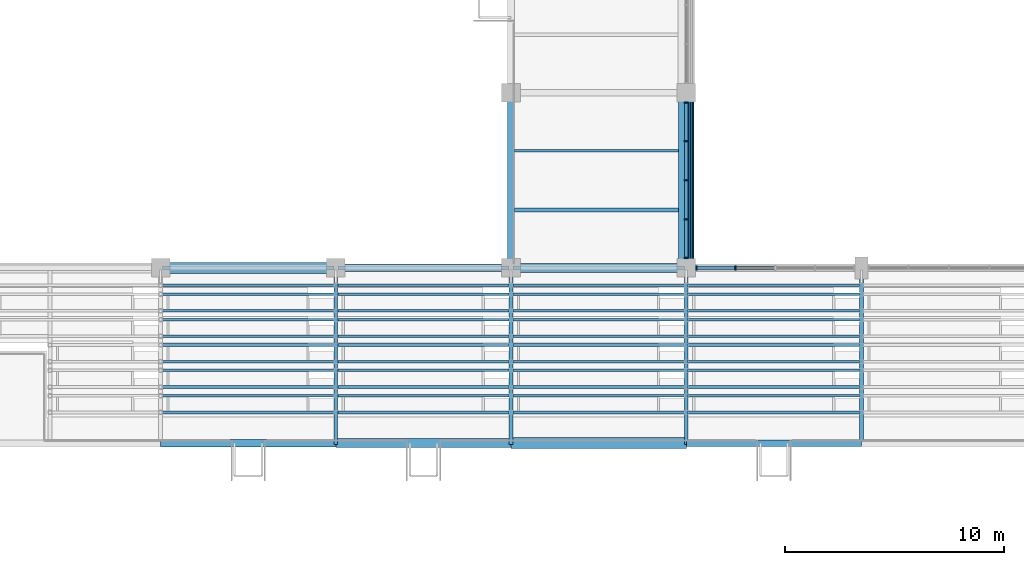
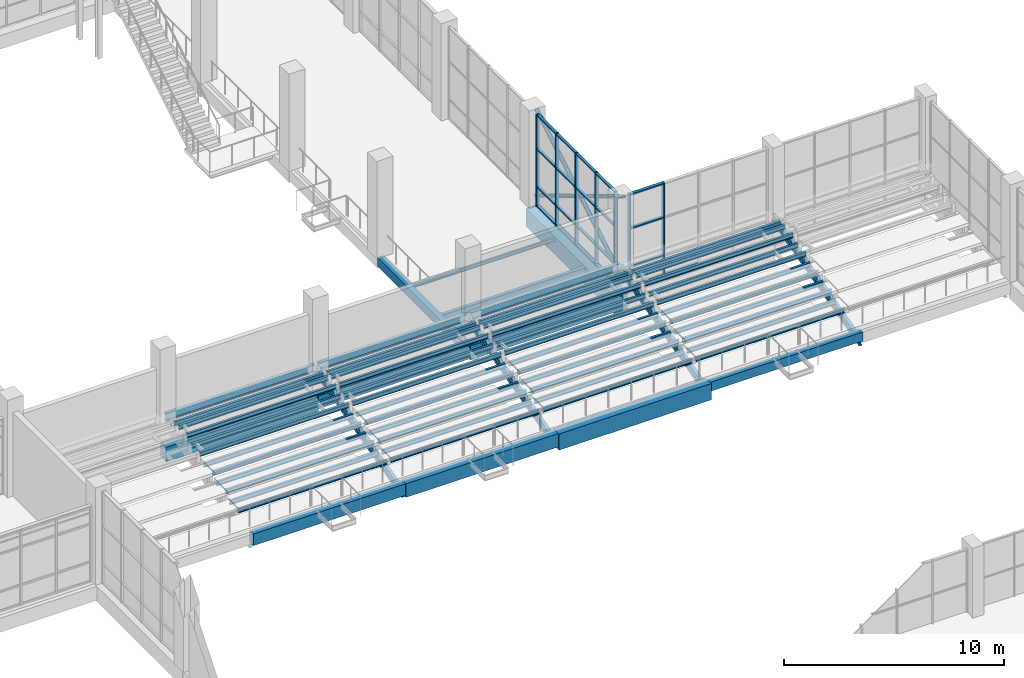
# One storey, part 54 of 122: 62 beams, 30 members, 2 elements without a shape of their own.
"""IFC4 building model written with IfcOpenShell, lengths in metres."""

import ifcopenshell
import ifcopenshell.guid

model = None  # the IFC model being written
_history = None  # IfcOwnerHistory: only IFC2X3 demands one
_inside = {}  # id of a spatial element -> (the spatial element, [elements in it])
_under = {}  # id of a project, library or spatial element -> (it, [spatial elements below it])
_declared = {}  # id of a project -> (the project, [libraries it declares])
_typed = {}  # id of a type object -> (the type object, [elements of that type])
_made_of = {}  # id of a material, layer set ... -> (it, [elements and type objects made of it])


def new_model(schema):
    """Start an empty IFC model of exactly this schema.

    Asked for "IFC4X3", IfcOpenShell would pick the latest addendum, in which some entities
    have other attributes; the version numbers below select the first issue.
    IFC2X3 requires an IfcOwnerHistory on every rooted entity: one is made here for all.
    """
    global model, _history
    if schema == "IFC4X3":
        model = ifcopenshell.file(schema_version=(4, 3, 0, 0))
    else:
        model = ifcopenshell.file(schema=schema)
    _inside.clear()
    _under.clear()
    _declared.clear()
    _typed.clear()
    _made_of.clear()
    _history = None
    if model.schema == "IFC2X3":
        org = make("IfcOrganization", Name="unknown")
        user = make(
            "IfcPersonAndOrganization",
            ThePerson=make("IfcPerson", FamilyName="unknown"),
            TheOrganization=org,
        )
        app = make(
            "IfcApplication",
            ApplicationDeveloper=org,
            Version="unknown",
            ApplicationFullName="unknown",
            ApplicationIdentifier="unknown",
        )
        _history = make(
            "IfcOwnerHistory",
            OwningUser=user,
            OwningApplication=app,
            ChangeAction="ADDED",
            CreationDate=0,
        )
    return model


def make(cls, **values):
    """One entity of the class cls with the attributes given. An attribute that is None is left unset."""
    return model.create_entity(
        cls, **{name: value for name, value in values.items() if value is not None}
    )


def rooted(cls, **values):
    """An entity with a GlobalId (a new one), such as an element, a storey or a relation."""
    return make(cls, GlobalId=ifcopenshell.guid.new(), OwnerHistory=_history, **values)


def si_unit(unit_type, name, prefix=None):
    """IfcSIUnit, for example si_unit("LENGTHUNIT", "METRE", prefix="MILLI")."""
    return make("IfcSIUnit", UnitType=unit_type, Prefix=prefix, Name=name)


def assignment(units):
    """IfcUnitAssignment: the units of a project."""
    return None if units is None else make("IfcUnitAssignment", Units=units)


def point(xyz):
    """IfcCartesianPoint."""
    return None if xyz is None else make("IfcCartesianPoint", Coordinates=xyz)


def direction(xyz):
    """IfcDirection."""
    return None if xyz is None else make("IfcDirection", DirectionRatios=xyz)


def frame(location, z_axis=None, x_axis=None):
    """IfcAxis2Placement3D, a coordinate frame: its origin and axes. An axis left out is left unset."""
    return make(
        "IfcAxis2Placement3D",
        Location=point(location),
        Axis=direction(z_axis),
        RefDirection=direction(x_axis),
    )


def frame_2d(location, x_axis=None):
    """IfcAxis2Placement2D, a coordinate frame in the plane: its origin and x axis."""
    return make(
        "IfcAxis2Placement2D", Location=point(location), RefDirection=direction(x_axis)
    )


def origin():
    """The frame at (0, 0, 0) with its axes left unset."""
    return frame((0.0, 0.0, 0.0))


def origin_2d():
    """The frame at (0, 0) in the plane with its x axis left unset."""
    return frame_2d((0.0, 0.0))


def place(relative_to, where):
    """IfcLocalPlacement: puts the frame where relative to a parent placement (None: the world)."""
    return make(
        "IfcLocalPlacement", PlacementRelTo=relative_to, RelativePlacement=where
    )


def context(
    kind, dimensions, precision=None, world=None, true_north=None, identifier=None
):
    """IfcGeometricRepresentationContext, for example the 3D "Model" context."""
    return make(
        "IfcGeometricRepresentationContext",
        ContextIdentifier=identifier,
        ContextType=kind,
        CoordinateSpaceDimension=dimensions,
        Precision=precision,
        WorldCoordinateSystem=world,
        TrueNorth=true_north,
    )


def subcontext(parent, identifier, kind, view, scale=None):
    """IfcGeometricRepresentationSubContext, for example "Body" below "Model"."""
    return make(
        "IfcGeometricRepresentationSubContext",
        ContextIdentifier=identifier,
        ContextType=kind,
        ParentContext=parent,
        TargetScale=scale,
        TargetView=view,
    )


def project(units=None, contexts=None):
    """IfcProject with its units and contexts."""
    return rooted(
        "IfcProject",
        Name="project",
        RepresentationContexts=contexts,
        UnitsInContext=assignment(units),
    )


def spatial(cls, under=None, at=None, **own):
    """A site, building, storey or space (cls), placed at a placement, below another one or the project."""
    s = rooted(cls, ObjectPlacement=at, **own)
    if under is not None:
        _under.setdefault(under.id(), (under, []))[1].append(s)
    return s


def profile(cls, at=None, kind="AREA", **sizes):
    """A parametric profile (cls). Its sizes go by their IFC names, for example OverallWidth=200.0."""
    return make(cls, ProfileType=kind, Position=at, **sizes)


def rectangle(**sizes):
    """IfcRectangleProfileDef."""
    return profile("IfcRectangleProfileDef", **sizes)


def hollow_circle(**sizes):
    """IfcCircleHollowProfileDef."""
    return profile("IfcCircleHollowProfileDef", **sizes)


def i_section(**sizes):
    """IfcIShapeProfileDef."""
    return profile("IfcIShapeProfileDef", **sizes)


def extrude(swept, where, along, depth):
    """IfcExtrudedAreaSolid: the profile swept, set in the frame where, extruded along a direction by depth."""
    return make(
        "IfcExtrudedAreaSolid",
        SweptArea=swept,
        Position=where,
        ExtrudedDirection=direction(along),
        Depth=depth,
    )


def shape(context_of_items, identifier, shape_type, items):
    """IfcShapeRepresentation: the items that make up one representation, for example the "Body"."""
    return make(
        "IfcShapeRepresentation",
        ContextOfItems=context_of_items,
        RepresentationIdentifier=identifier,
        RepresentationType=shape_type,
        Items=items,
    )


def material(Name=None, Category=None):
    """IfcMaterial."""
    return make("IfcMaterial", Name=Name, Category=Category)


def material_profile(
    of_material, cross_section, Name=None, Category=None, Priority=None
):
    """IfcMaterialProfile: a cross section and its material."""
    return make(
        "IfcMaterialProfile",
        Name=Name,
        Material=of_material,
        Profile=cross_section,
        Priority=Priority,
        Category=Category,
    )


def profile_set(profiles, Name=None, composite=None):
    """IfcMaterialProfileSet."""
    return make(
        "IfcMaterialProfileSet",
        Name=Name,
        MaterialProfiles=profiles,
        CompositeProfile=composite,
    )


def made_of(thing, what):
    """Note that an element or type object is made of a material, layer set ...; save() writes the relation."""
    if what is not None:
        _made_of.setdefault(what.id(), (what, []))[1].append(thing)
    return thing


def type_object(cls, material=None, **own):
    """A type object (cls), such as IfcWallType, which elements share."""
    return made_of(rooted(cls, **own), material)


def element(
    cls,
    number,
    at=None,
    inside=None,
    cuts=None,
    type_object=None,
    material=None,
    context=None,
    identifier="Body",
    shape_type=None,
    held_by="IfcProductDefinitionShape",
    body=None,
    shapes=None,
    **own,
):
    """One element of the class cls, such as IfcWall. Its Tag is "e" and its number.

    at: its placement. inside: the storey or other place that contains it. cuts: it is an
    opening in that element (IfcRelVoidsElement). A single representation is given by context,
    identifier, shape_type and body (its items); several are given by shapes. held_by: the class
    of the entity that holds the representations. save() writes the other relations.
    """
    e = rooted(cls, Tag="e%d" % number, ObjectPlacement=at, **own)
    if body is not None:
        shapes = [shape(context, identifier, shape_type, body)]
    if shapes is not None:
        e.Representation = make(held_by, Representations=shapes)
    if inside is not None:
        _inside.setdefault(inside.id(), (inside, []))[1].append(e)
    if cuts is not None:
        rooted(
            "IfcRelVoidsElement", RelatingBuildingElement=cuts, RelatedOpeningElement=e
        )
    if type_object is not None:
        _typed.setdefault(type_object.id(), (type_object, []))[1].append(e)
    return made_of(e, material)


def aggregate(whole, parts):
    """IfcRelAggregates: a whole, such as a stair, and the parts it consists of."""
    return rooted("IfcRelAggregates", RelatingObject=whole, RelatedObjects=parts)


def save(model, path):
    """Write the relations noted so far, then the file.

    IfcRelAggregates (storeys below a building ...), IfcRelContainedInSpatialStructure (elements
    in a storey), IfcRelDefinesByType, IfcRelAssociatesMaterial and IfcRelDeclares: one each for
    every whole, place, type object, material and project.
    """
    for whole, parts in _under.values():
        aggregate(whole, parts)
    for where, things in _inside.values():
        rooted(
            "IfcRelContainedInSpatialStructure",
            RelatedElements=things,
            RelatingStructure=where,
        )
    for kind, things in _typed.values():
        rooted("IfcRelDefinesByType", RelatedObjects=things, RelatingType=kind)
    for what, things in _made_of.values():
        rooted("IfcRelAssociatesMaterial", RelatedObjects=things, RelatingMaterial=what)
    for by, libraries in _declared.values():
        rooted("IfcRelDeclares", RelatingContext=by, RelatedDefinitions=libraries)
    model.write(path)


model = new_model("IFC4")

# Units and contexts
model_context = context("Model", 3, precision=1e-05, world=origin(), true_north=direction((0.0, 1.0)))
body_context = subcontext(model_context, "Body", "Model", "MODEL_VIEW")
ifc_project = project(units=[si_unit("LENGTHUNIT", "METRE"), si_unit("AREAUNIT", "SQUARE_METRE"), si_unit("VOLUMEUNIT", "CUBIC_METRE"), si_unit("PLANEANGLEUNIT", "RADIAN"), si_unit("MASSUNIT", "GRAM", prefix="KILO")], contexts=[model_context])

# Site, building, storey
site_placement = place(None, origin())
site = spatial("IfcSite", under=ifc_project, at=site_placement, CompositionType="ELEMENT")
building_placement = place(site_placement, origin())
building = spatial("IfcBuilding", under=site, at=building_placement, Name="Tenunan Teduh Sports Hall", CompositionType="ELEMENT")
storey_placement = place(building_placement, frame((0.0, 0.0, 5.39990234375)))
storey = spatial("IfcBuildingStorey", under=building, at=storey_placement, Name="L01", CompositionType="ELEMENT", Elevation=5.39990234375)

# Beams
ifc_material_1 = material(Name="Concrete C40/50", Category="concrete")
ifc_material_profile_1 = material_profile(ifc_material_1, rectangle(XDim=0.300048828125, YDim=0.5, at=origin_2d()), Name="RCB 300x500")
ifc_profile_set_1 = profile_set([ifc_material_profile_1], Name="Concrete C40/50")
beam_type_1 = type_object("IfcBeamType", Name="BM-RC-300x500", PredefinedType="BEAM", material=ifc_profile_set_1)
for number, where, z_axis, x_axis, name in (
    (1, (154.0, 38.0, -0.510009765625), (1.0, 0.0, 0.0), (0.0, 1.0, 0.0), "BM-B-01-L01-1068"),
    (2, (146.0, 46.0, -0.510009765625), (0.0, 1.0, 0.0), (-1.0, 0.0, 0.0), "BM-B-01-L01-1285"),
):
    element("IfcBeam", number, at=place(storey_placement, frame(where, z_axis=z_axis, x_axis=x_axis)), inside=storey, type_object=beam_type_1, Name=name, PredefinedType="BEAM", context=body_context, shape_type="SweptSolid", body=[
        extrude(rectangle(XDim=0.300048828125, YDim=0.5, at=origin_2d()), origin(), (0.0, 0.0, 1.0), 8.0),
    ])
ifc_material_2 = material(Name="Concrete C40/50", Category="concrete")
ifc_material_profile_2 = material_profile(ifc_material_2, rectangle(XDim=0.35009765625, YDim=0.64990234375, at=origin_2d()), Name="RCB 350x650")
ifc_profile_set_2 = profile_set([ifc_material_profile_2], Name="Concrete C40/50")
beam_type_2 = type_object("IfcBeamType", Name="BM-RC-350x650", PredefinedType="BEAM", material=ifc_profile_set_2)
beam_1_placement = place(storey_placement, frame((130.0, 38.0, -0.5849609375), z_axis=(1.0, 0.0, 0.0), x_axis=(0.0, 1.0, 0.0)))
element("IfcBeam", 3, at=beam_1_placement, inside=storey, type_object=beam_type_2, Name="BM-B-05-L01-1065", PredefinedType="BEAM", context=body_context, shape_type="SweptSolid", body=[
    extrude(rectangle(XDim=0.35009765625, YDim=0.64990234375, at=origin_2d()), origin(), (0.0, 0.0, 1.0), 8.0),
])
ifc_material_3 = material(Name="Concrete C40/50", Category="concrete")
ifc_material_profile_3 = material_profile(ifc_material_3, rectangle(XDim=0.39990234375, YDim=0.75, at=origin_2d()), Name="RCB 400x750")
ifc_profile_set_3 = profile_set([ifc_material_profile_3], Name="Concrete C40/50")
beam_type_3 = type_object("IfcBeamType", Name="BM-RC-400x750", PredefinedType="BEAM", material=ifc_profile_set_3)
beam_2_placement = place(storey_placement, frame((138.0, 38.0, -0.635009765625), z_axis=(1.0, 0.0, 0.0), x_axis=(0.0, 1.0, 0.0)))
element("IfcBeam", 4, at=beam_2_placement, inside=storey, type_object=beam_type_3, Name="BM-B-09-L01-1066", PredefinedType="BEAM", context=body_context, shape_type="SweptSolid", body=[
    extrude(rectangle(XDim=0.39990234375, YDim=0.75, at=origin_2d()), origin(), (0.0, 0.0, 1.0), 8.0),
])
ifc_material_4 = material(Name="Concrete C40/50", Category="concrete")
ifc_material_profile_4 = material_profile(ifc_material_4, rectangle(XDim=0.5, YDim=0.800048828125, at=origin_2d()), Name="RCB 500x800")
ifc_profile_set_4 = profile_set([ifc_material_profile_4], Name="Concrete C40/50")
beam_type_4 = type_object("IfcBeamType", Name="BM-RC-500x800", PredefinedType="BEAM", material=ifc_profile_set_4)
beam_3_placement = place(storey_placement, frame((130.0, 46.0, -0.659912109375), z_axis=(1.0, 0.0, 0.0), x_axis=(0.0, 1.0, 0.0)))
element("IfcBeam", 5, at=beam_3_placement, inside=storey, type_object=beam_type_4, Name="BM-B-14-L01-1083", PredefinedType="BEAM", context=body_context, shape_type="SweptSolid", body=[
    extrude(rectangle(XDim=0.5, YDim=0.800048828125, at=origin_2d()), origin(), (0.0, 0.0, 1.0), 8.0),
])
ifc_material_5 = material(Name="Concrete C40/50", Category="concrete")
ifc_material_profile_5 = material_profile(ifc_material_5, rectangle(XDim=0.5, YDim=0.89990234375, at=origin_2d()), Name="RCB 500x900")
ifc_profile_set_5 = profile_set([ifc_material_profile_5], Name="Concrete C40/50")
beam_type_5 = type_object("IfcBeamType", Name="BM-RC-500x900", PredefinedType="BEAM", material=ifc_profile_set_5)
beam_4_placement = place(storey_placement, frame((146.0, 38.0, -0.7099609375), z_axis=(1.0, 0.0, 0.0), x_axis=(0.0, 1.0, 0.0)))
element("IfcBeam", 6, at=beam_4_placement, inside=storey, type_object=beam_type_5, Name="BM-B-15-L01-1067", PredefinedType="BEAM", context=body_context, shape_type="SweptSolid", body=[
    extrude(rectangle(XDim=0.5, YDim=0.89990234375, at=origin_2d()), origin(), (0.0, 0.0, 1.0), 8.0),
])
ifc_material_6 = material(Name="Concrete C40/50", Category="concrete")
ifc_material_profile_6 = material_profile(ifc_material_6, rectangle(XDim=0.699951171875, YDim=1.0, at=origin_2d()), Name="RCB 700x1000")
ifc_profile_set_6 = profile_set([ifc_material_profile_6], Name="Concrete C40/50")
beam_type_6 = type_object("IfcBeamType", Name="BM-RC-700x1000", PredefinedType="SPANDREL", material=ifc_profile_set_6)
beam_5_placement = place(storey_placement, frame((154.0, 46.0, -0.760009765625), z_axis=(0.0, 1.0, 0.0), x_axis=(-1.0, 0.0, 0.0)))
element("IfcBeam", 7, at=beam_5_placement, inside=storey, type_object=beam_type_6, Name="BM-B-19-L01-1293", PredefinedType="SPANDREL", context=body_context, shape_type="SweptSolid", body=[
    extrude(rectangle(XDim=0.699951171875, YDim=1.0, at=origin_2d()), origin(), (0.0, 0.0, 1.0), 8.0),
])
ifc_material_7 = material(Name="Concrete C40/50", Category="concrete")
ifc_material_profile_7 = material_profile(ifc_material_7, rectangle(XDim=0.35009765625, YDim=0.719970703125, at=origin_2d()), Name="TB 350x720")
ifc_profile_set_7 = profile_set([ifc_material_profile_7], Name="Concrete C40/50")
beam_type_7 = type_object("IfcBeamType", Name="BM-TB-350x720", PredefinedType="T_BEAM", material=ifc_profile_set_7)
beam_6_placement = place(storey_placement, frame((138.0, 46.0, -0.619873046875), z_axis=(1.0, 0.0, 0.0), x_axis=(0.0, 1.0, 0.0)))
element("IfcBeam", 8, at=beam_6_placement, inside=storey, type_object=beam_type_7, Name="BM-TB-01-L01-1084", PredefinedType="T_BEAM", context=body_context, shape_type="SweptSolid", body=[
    extrude(rectangle(XDim=0.35009765625, YDim=0.719970703125, at=origin_2d()), origin(), (0.0, 0.0, 1.0), 8.0),
])
ifc_material_8 = material(Name="Concrete C40/50", Category="concrete")
ifc_material_profile_8 = material_profile(ifc_material_8, rectangle(XDim=0.39990234375, YDim=0.780029296875, at=origin_2d()), Name="TB 400x780")
ifc_profile_set_8 = profile_set([ifc_material_profile_8], Name="Concrete C40/50")
beam_type_8 = type_object("IfcBeamType", Name="BM-TB-400x780", PredefinedType="T_BEAM", material=ifc_profile_set_8)
beam_7_placement = place(storey_placement, frame((146.0, 46.0, -0.64990234375), z_axis=(1.0, 0.0, 0.0), x_axis=(0.0, 1.0, 0.0)))
element("IfcBeam", 9, at=beam_7_placement, inside=storey, type_object=beam_type_8, Name="BM-TB-02-L01-1085", PredefinedType="T_BEAM", context=body_context, shape_type="SweptSolid", body=[
    extrude(rectangle(XDim=0.39990234375, YDim=0.780029296875, at=origin_2d()), origin(), (0.0, 0.0, 1.0), 8.0),
])

# Curtain wall, members
ifc_material_9 = material(Name="Anodised aluminium", Category="aluminium")
curtain_wall_type = type_object("IfcCurtainWallType", Name="CW-UNIT-1", PredefinedType="NOTDEFINED", material=ifc_material_9)
curtain_wall_1_placement = place(storey_placement, origin())
curtain_wall_1 = element("IfcCurtainWall", 10, at=curtain_wall_1_placement, inside=storey, type_object=curtain_wall_type, Name="CW-CWM-175-L01-122", PredefinedType="NOTDEFINED")
ifc_material_10 = material(Name="Anodised aluminium", Category="aluminium")
ifc_material_profile_9 = material_profile(ifc_material_10, rectangle(XDim=0.06494140625, YDim=0.175048828125, at=origin_2d()), Name="CWM 65x175")
ifc_profile_set_9 = profile_set([ifc_material_profile_9], Name="Anodised aluminium")
member_type_1 = type_object("IfcMemberType", Name="CWM-175", PredefinedType="MULLION", material=ifc_profile_set_9)
member_1_placement = place(storey_placement, frame((154.0, 46.45751953125, 0.0), z_axis=(0.0, 0.0, 1.0), x_axis=(0.0, 1.0, 0.0)))
member_1 = element("IfcMember", 11, at=member_1_placement, type_object=member_type_1, Name="CW-01 mullion 1", PredefinedType="MULLION", context=body_context, shape_type="SweptSolid", body=[
    extrude(rectangle(XDim=0.06494140625, YDim=0.175048828125, at=origin_2d()), origin(), (0.0, 0.0, 1.0), 5.1201171875),
])
member_2_placement = place(storey_placement, frame((154.0, 48.21240234375, 0.0), z_axis=(0.0, 0.0, 1.0), x_axis=(0.0, 1.0, 0.0)))
member_2 = element("IfcMember", 12, at=member_2_placement, type_object=member_type_1, Name="CW-01 mullion 2", PredefinedType="MULLION", context=body_context, shape_type="SweptSolid", body=[
    extrude(rectangle(XDim=0.06494140625, YDim=0.175048828125, at=origin_2d()), origin(), (0.0, 0.0, 1.0), 5.1201171875),
])
member_3_placement = place(storey_placement, frame((154.0, 50.0, 0.0), z_axis=(0.0, 0.0, 1.0), x_axis=(0.0, 1.0, 0.0)))
member_3 = element("IfcMember", 13, at=member_3_placement, type_object=member_type_1, Name="CW-01 mullion 3", PredefinedType="MULLION", context=body_context, shape_type="SweptSolid", body=[
    extrude(rectangle(XDim=0.06494140625, YDim=0.175048828125, at=origin_2d()), origin(), (0.0, 0.0, 1.0), 5.1201171875),
])
member_4_placement = place(storey_placement, frame((154.0, 51.78759765625, 0.0), z_axis=(0.0, 0.0, 1.0), x_axis=(0.0, 1.0, 0.0)))
member_4 = element("IfcMember", 14, at=member_4_placement, type_object=member_type_1, Name="CW-01 mullion 4", PredefinedType="MULLION", context=body_context, shape_type="SweptSolid", body=[
    extrude(rectangle(XDim=0.06494140625, YDim=0.175048828125, at=origin_2d()), origin(), (0.0, 0.0, 1.0), 5.1201171875),
])
member_5_placement = place(storey_placement, frame((154.0, 53.54248046875, 0.0), z_axis=(0.0, 0.0, 1.0), x_axis=(0.0, 1.0, 0.0)))
member_5 = element("IfcMember", 15, at=member_5_placement, type_object=member_type_1, Name="CW-01 mullion 5", PredefinedType="MULLION", context=body_context, shape_type="SweptSolid", body=[
    extrude(rectangle(XDim=0.06494140625, YDim=0.175048828125, at=origin_2d()), origin(), (0.0, 0.0, 1.0), 5.1201171875),
])

curtain_wall_2_placement = place(storey_placement, origin())
curtain_wall_2 = element("IfcCurtainWall", 16, at=curtain_wall_2_placement, inside=storey, type_object=curtain_wall_type, Name="CW-CWM-200-L01-012", PredefinedType="NOTDEFINED")
ifc_material_11 = material(Name="Anodised aluminium", Category="aluminium")
ifc_material_profile_10 = material_profile(ifc_material_11, rectangle(XDim=0.070068359375, YDim=0.199951171875, at=origin_2d()), Name="CWM 70x200")
ifc_profile_set_10 = profile_set([ifc_material_profile_10], Name="Anodised aluminium")
member_type_2 = type_object("IfcMemberType", Name="CWM-200", PredefinedType="MULLION", material=ifc_profile_set_10)
member_6_placement = place(storey_placement, frame((154.4599609375, 46.0, 0.0), z_axis=(0.0, 0.0, 1.0), x_axis=(1.0, 0.0, 0.0)))
member_6 = element("IfcMember", 17, at=member_6_placement, type_object=member_type_2, Name="CW-01 mullion 1", PredefinedType="MULLION", context=body_context, shape_type="SweptSolid", body=[
    extrude(rectangle(XDim=0.070068359375, YDim=0.199951171875, at=origin_2d()), origin(), (0.0, 0.0, 1.0), 5.1201171875),
])
member_7_placement = place(storey_placement, frame((156.24365234375, 46.0, 0.0), z_axis=(0.0, 0.0, 1.0), x_axis=(1.0, 0.0, 0.0)))
member_7 = element("IfcMember", 18, at=member_7_placement, type_object=member_type_2, Name="CW-01 mullion 2", PredefinedType="MULLION", context=body_context, shape_type="SweptSolid", body=[
    extrude(rectangle(XDim=0.070068359375, YDim=0.199951171875, at=origin_2d()), origin(), (0.0, 0.0, 1.0), 5.1201171875),
])

# Member
ifc_material_12 = material(Name="Anodised aluminium", Category="aluminium")
ifc_material_profile_11 = material_profile(ifc_material_12, rectangle(XDim=0.06494140625, YDim=0.139892578125, at=origin_2d()), Name="CWT 65x140")
ifc_profile_set_11 = profile_set([ifc_material_profile_11], Name="Anodised aluminium")
member_type_3 = type_object("IfcMemberType", Name="CWT-150", PredefinedType="USERDEFINED", material=ifc_profile_set_11)
member_8_placement = place(storey_placement, frame((154.0, 46.489990234375, 0.03271484375), z_axis=(0.0, 1.0, 0.0), x_axis=(0.0, 0.0, 1.0)))
member_8 = element("IfcMember", 19, at=member_8_placement, type_object=member_type_3, Name="CW-01 transom 1.1", ObjectType="TRANSOM", PredefinedType="USERDEFINED", context=body_context, shape_type="SweptSolid", body=[
    extrude(rectangle(XDim=0.06494140625, YDim=0.139892578125, at=origin_2d()), origin(), (0.0, 0.0, 1.0), 1.68994140625),
])

member_9_placement = place(storey_placement, frame((154.0, 46.489990234375, 1.10009765625), z_axis=(0.0, 1.0, 0.0), x_axis=(0.0, 0.0, 1.0)))
member_9 = element("IfcMember", 20, at=member_9_placement, type_object=member_type_3, Name="CW-01 transom 1.2", ObjectType="TRANSOM", PredefinedType="USERDEFINED", context=body_context, shape_type="SweptSolid", body=[
    extrude(rectangle(XDim=0.06494140625, YDim=0.139892578125, at=origin_2d()), origin(), (0.0, 0.0, 1.0), 1.68994140625),
])

member_10_placement = place(storey_placement, frame((154.0, 46.489990234375, 3.2001953125), z_axis=(0.0, 1.0, 0.0), x_axis=(0.0, 0.0, 1.0)))
member_10 = element("IfcMember", 21, at=member_10_placement, type_object=member_type_3, Name="CW-01 transom 1.3", ObjectType="TRANSOM", PredefinedType="USERDEFINED", context=body_context, shape_type="SweptSolid", body=[
    extrude(rectangle(XDim=0.06494140625, YDim=0.139892578125, at=origin_2d()), origin(), (0.0, 0.0, 1.0), 1.68994140625),
])

member_11_placement = place(storey_placement, frame((154.0, 46.489990234375, 5.087646484375), z_axis=(0.0, 1.0, 0.0), x_axis=(0.0, 0.0, 1.0)))
member_11 = element("IfcMember", 22, at=member_11_placement, type_object=member_type_3, Name="CW-01 transom 1.4", ObjectType="TRANSOM", PredefinedType="USERDEFINED", context=body_context, shape_type="SweptSolid", body=[
    extrude(rectangle(XDim=0.06494140625, YDim=0.139892578125, at=origin_2d()), origin(), (0.0, 0.0, 1.0), 1.68994140625),
])

member_12_placement = place(storey_placement, frame((154.0, 48.2451171875, 0.03271484375), z_axis=(0.0, 1.0, 0.0), x_axis=(0.0, 0.0, 1.0)))
member_12 = element("IfcMember", 23, at=member_12_placement, type_object=member_type_3, Name="CW-01 transom 2.1", ObjectType="TRANSOM", PredefinedType="USERDEFINED", context=body_context, shape_type="SweptSolid", body=[
    extrude(rectangle(XDim=0.06494140625, YDim=0.139892578125, at=origin_2d()), origin(), (0.0, 0.0, 1.0), 1.722412109375),
])

member_13_placement = place(storey_placement, frame((154.0, 48.2451171875, 1.10009765625), z_axis=(0.0, 1.0, 0.0), x_axis=(0.0, 0.0, 1.0)))
member_13 = element("IfcMember", 24, at=member_13_placement, type_object=member_type_3, Name="CW-01 transom 2.2", ObjectType="TRANSOM", PredefinedType="USERDEFINED", context=body_context, shape_type="SweptSolid", body=[
    extrude(rectangle(XDim=0.06494140625, YDim=0.139892578125, at=origin_2d()), origin(), (0.0, 0.0, 1.0), 1.722412109375),
])

member_14_placement = place(storey_placement, frame((154.0, 48.2451171875, 3.2001953125), z_axis=(0.0, 1.0, 0.0), x_axis=(0.0, 0.0, 1.0)))
member_14 = element("IfcMember", 25, at=member_14_placement, type_object=member_type_3, Name="CW-01 transom 2.3", ObjectType="TRANSOM", PredefinedType="USERDEFINED", context=body_context, shape_type="SweptSolid", body=[
    extrude(rectangle(XDim=0.06494140625, YDim=0.139892578125, at=origin_2d()), origin(), (0.0, 0.0, 1.0), 1.722412109375),
])

member_15_placement = place(storey_placement, frame((154.0, 48.2451171875, 5.087646484375), z_axis=(0.0, 1.0, 0.0), x_axis=(0.0, 0.0, 1.0)))
member_15 = element("IfcMember", 26, at=member_15_placement, type_object=member_type_3, Name="CW-01 transom 2.4", ObjectType="TRANSOM", PredefinedType="USERDEFINED", context=body_context, shape_type="SweptSolid", body=[
    extrude(rectangle(XDim=0.06494140625, YDim=0.139892578125, at=origin_2d()), origin(), (0.0, 0.0, 1.0), 1.722412109375),
])

member_16_placement = place(storey_placement, frame((154.0, 50.032470703125, 0.03271484375), z_axis=(0.0, 1.0, 0.0), x_axis=(0.0, 0.0, 1.0)))
member_16 = element("IfcMember", 27, at=member_16_placement, type_object=member_type_3, Name="CW-01 transom 3.1", ObjectType="TRANSOM", PredefinedType="USERDEFINED", context=body_context, shape_type="SweptSolid", body=[
    extrude(rectangle(XDim=0.06494140625, YDim=0.139892578125, at=origin_2d()), origin(), (0.0, 0.0, 1.0), 1.722412109375),
])

member_17_placement = place(storey_placement, frame((154.0, 50.032470703125, 1.10009765625), z_axis=(0.0, 1.0, 0.0), x_axis=(0.0, 0.0, 1.0)))
member_17 = element("IfcMember", 28, at=member_17_placement, type_object=member_type_3, Name="CW-01 transom 3.2", ObjectType="TRANSOM", PredefinedType="USERDEFINED", context=body_context, shape_type="SweptSolid", body=[
    extrude(rectangle(XDim=0.06494140625, YDim=0.139892578125, at=origin_2d()), origin(), (0.0, 0.0, 1.0), 1.722412109375),
])

member_18_placement = place(storey_placement, frame((154.0, 50.032470703125, 3.2001953125), z_axis=(0.0, 1.0, 0.0), x_axis=(0.0, 0.0, 1.0)))
member_18 = element("IfcMember", 29, at=member_18_placement, type_object=member_type_3, Name="CW-01 transom 3.3", ObjectType="TRANSOM", PredefinedType="USERDEFINED", context=body_context, shape_type="SweptSolid", body=[
    extrude(rectangle(XDim=0.06494140625, YDim=0.139892578125, at=origin_2d()), origin(), (0.0, 0.0, 1.0), 1.722412109375),
])

member_19_placement = place(storey_placement, frame((154.0, 50.032470703125, 5.087646484375), z_axis=(0.0, 1.0, 0.0), x_axis=(0.0, 0.0, 1.0)))
member_19 = element("IfcMember", 30, at=member_19_placement, type_object=member_type_3, Name="CW-01 transom 3.4", ObjectType="TRANSOM", PredefinedType="USERDEFINED", context=body_context, shape_type="SweptSolid", body=[
    extrude(rectangle(XDim=0.06494140625, YDim=0.139892578125, at=origin_2d()), origin(), (0.0, 0.0, 1.0), 1.722412109375),
])

member_20_placement = place(storey_placement, frame((154.0, 51.820068359375, 0.03271484375), z_axis=(0.0, 1.0, 0.0), x_axis=(0.0, 0.0, 1.0)))
member_20 = element("IfcMember", 31, at=member_20_placement, type_object=member_type_3, Name="CW-01 transom 4.1", ObjectType="TRANSOM", PredefinedType="USERDEFINED", context=body_context, shape_type="SweptSolid", body=[
    extrude(rectangle(XDim=0.06494140625, YDim=0.139892578125, at=origin_2d()), origin(), (0.0, 0.0, 1.0), 1.68994140625),
])

member_21_placement = place(storey_placement, frame((154.0, 51.820068359375, 1.10009765625), z_axis=(0.0, 1.0, 0.0), x_axis=(0.0, 0.0, 1.0)))
member_21 = element("IfcMember", 32, at=member_21_placement, type_object=member_type_3, Name="CW-01 transom 4.2", ObjectType="TRANSOM", PredefinedType="USERDEFINED", context=body_context, shape_type="SweptSolid", body=[
    extrude(rectangle(XDim=0.06494140625, YDim=0.139892578125, at=origin_2d()), origin(), (0.0, 0.0, 1.0), 1.68994140625),
])

member_22_placement = place(storey_placement, frame((154.0, 51.820068359375, 3.2001953125), z_axis=(0.0, 1.0, 0.0), x_axis=(0.0, 0.0, 1.0)))
member_22 = element("IfcMember", 33, at=member_22_placement, type_object=member_type_3, Name="CW-01 transom 4.3", ObjectType="TRANSOM", PredefinedType="USERDEFINED", context=body_context, shape_type="SweptSolid", body=[
    extrude(rectangle(XDim=0.06494140625, YDim=0.139892578125, at=origin_2d()), origin(), (0.0, 0.0, 1.0), 1.68994140625),
])

member_23_placement = place(storey_placement, frame((154.0, 51.820068359375, 5.087646484375), z_axis=(0.0, 1.0, 0.0), x_axis=(0.0, 0.0, 1.0)))
member_23 = element("IfcMember", 34, at=member_23_placement, type_object=member_type_3, Name="CW-01 transom 4.4", ObjectType="TRANSOM", PredefinedType="USERDEFINED", context=body_context, shape_type="SweptSolid", body=[
    extrude(rectangle(XDim=0.06494140625, YDim=0.139892578125, at=origin_2d()), origin(), (0.0, 0.0, 1.0), 1.68994140625),
])

aggregate(curtain_wall_1, [member_1, member_2, member_3, member_4, member_5, member_8, member_9, member_10, member_11, member_12, member_13, member_14, member_15, member_16, member_17, member_18, member_19, member_20, member_21, member_22, member_23])

ifc_material_13 = material(Name="Anodised aluminium", Category="aluminium")
ifc_material_profile_12 = material_profile(ifc_material_13, rectangle(XDim=0.070068359375, YDim=0.159912109375, at=origin_2d()), Name="CWT 70x160")
ifc_profile_set_12 = profile_set([ifc_material_profile_12], Name="Anodised aluminium")
member_type_4 = type_object("IfcMemberType", Name="CWT-200", PredefinedType="USERDEFINED", material=ifc_profile_set_12)
member_24_placement = place(storey_placement, frame((154.4951171875, 46.0, 0.03515625), z_axis=(1.0, 0.0, 0.0), x_axis=(0.0, 0.0, 1.0)))
member_24 = element("IfcMember", 35, at=member_24_placement, type_object=member_type_4, Name="CW-01 transom 1.1", ObjectType="TRANSOM", PredefinedType="USERDEFINED", context=body_context, shape_type="SweptSolid", body=[
    extrude(rectangle(XDim=0.070068359375, YDim=0.159912109375, at=origin_2d()), origin(), (0.0, 0.0, 1.0), 1.713623046875),
])

member_25_placement = place(storey_placement, frame((154.4951171875, 46.0, 1.10009765625), z_axis=(1.0, 0.0, 0.0), x_axis=(0.0, 0.0, 1.0)))
member_25 = element("IfcMember", 36, at=member_25_placement, type_object=member_type_4, Name="CW-01 transom 1.2", ObjectType="TRANSOM", PredefinedType="USERDEFINED", context=body_context, shape_type="SweptSolid", body=[
    extrude(rectangle(XDim=0.070068359375, YDim=0.159912109375, at=origin_2d()), origin(), (0.0, 0.0, 1.0), 1.713623046875),
])

member_26_placement = place(storey_placement, frame((154.4951171875, 46.0, 3.2001953125), z_axis=(1.0, 0.0, 0.0), x_axis=(0.0, 0.0, 1.0)))
member_26 = element("IfcMember", 37, at=member_26_placement, type_object=member_type_4, Name="CW-01 transom 1.3", ObjectType="TRANSOM", PredefinedType="USERDEFINED", context=body_context, shape_type="SweptSolid", body=[
    extrude(rectangle(XDim=0.070068359375, YDim=0.159912109375, at=origin_2d()), origin(), (0.0, 0.0, 1.0), 1.713623046875),
])

member_27_placement = place(storey_placement, frame((154.4951171875, 46.0, 5.085205078125), z_axis=(1.0, 0.0, 0.0), x_axis=(0.0, 0.0, 1.0)))
member_27 = element("IfcMember", 38, at=member_27_placement, type_object=member_type_4, Name="CW-01 transom 1.4", ObjectType="TRANSOM", PredefinedType="USERDEFINED", context=body_context, shape_type="SweptSolid", body=[
    extrude(rectangle(XDim=0.070068359375, YDim=0.159912109375, at=origin_2d()), origin(), (0.0, 0.0, 1.0), 1.713623046875),
])

member_28_placement = place(storey_placement, frame((156.27880859375, 46.0, 0.03515625), z_axis=(1.0, 0.0, 0.0), x_axis=(0.0, 0.0, 1.0)))
member_28 = element("IfcMember", 39, at=member_28_placement, type_object=member_type_4, Name="CW-01 transom 2.1", ObjectType="TRANSOM", PredefinedType="USERDEFINED", context=body_context, shape_type="SweptSolid", body=[
    extrude(rectangle(XDim=0.070068359375, YDim=0.159912109375, at=origin_2d()), origin(), (0.0, 0.0, 1.0), 1.748779296875),
])

aggregate(curtain_wall_2, [member_6, member_7, member_24, member_25, member_26, member_27, member_28])

# Beams
ifc_material_14 = material(Name="Steel S355", Category="steel")
ifc_material_profile_13 = material_profile(ifc_material_14, i_section(OverallWidth=0.10009765625, OverallDepth=0.199951171875, WebThickness=0.005615234375, FlangeThickness=0.008544921875, FilletRadius=0.011962890625, at=origin_2d()), Name="IPE 200")
ifc_profile_set_13 = profile_set([ifc_material_profile_13], Name="Steel S355")
beam_type_9 = type_object("IfcBeamType", Name="JST-IPE200", PredefinedType="JOIST", material=ifc_profile_set_13)
beam_8_placement = place(storey_placement, frame((146.14990234375, 51.35009765625, -0.35986328125), z_axis=(1.0, 0.0, 0.0), x_axis=(0.0, 1.0, 0.0)))
element("IfcBeam", 40, at=beam_8_placement, inside=storey, type_object=beam_type_9, Name="BM-J-01-L01-1435", PredefinedType="JOIST", context=body_context, shape_type="SweptSolid", body=[
    extrude(i_section(OverallWidth=0.10009765625, OverallDepth=0.199951171875, WebThickness=0.005615234375, FlangeThickness=0.008544921875, FilletRadius=0.011962890625, at=origin_2d()), origin(), (0.0, 0.0, 1.0), 7.5),
])
ifc_material_15 = material(Name="Steel S355", Category="steel")
ifc_material_profile_14 = material_profile(ifc_material_15, i_section(OverallWidth=0.1201171875, OverallDepth=0.239990234375, WebThickness=0.006103515625, FlangeThickness=0.009765625, FilletRadius=0.014892578125, at=origin_2d()), Name="IPE 240")
ifc_profile_set_14 = profile_set([ifc_material_profile_14], Name="Steel S355")
beam_type_10 = type_object("IfcBeamType", Name="JST-IPE240", PredefinedType="JOIST", material=ifc_profile_set_14)
for number, where, z_axis, x_axis, name in (
    (41, (130.090087890625, 45.199951171875, 1.360107421875), (1.0, 0.0, 0.0), (0.0, 1.0, 0.0), "BM-J-02-L01-2259"),
    (42, (138.090087890625, 45.199951171875, 1.360107421875), (1.0, 0.0, 0.0), (0.0, 1.0, 0.0), "BM-J-02-L01-2261"),
    (43, (146.090087890625, 45.199951171875, 1.360107421875), (1.0, 0.0, 0.0), (0.0, 1.0, 0.0), "BM-J-02-L01-2263"),
    (44, (154.090087890625, 45.199951171875, 1.360107421875), (1.0, 0.0, 0.0), (0.0, 1.0, 0.0), "BM-J-02-L01-2265"),
    (45, (130.090087890625, 39.39990234375, 0.050048828125), (1.0, 0.0, 0.0), (0.0, 1.0, 0.0), "BM-J-02-L01-2288"),
    (46, (130.090087890625, 40.159912109375, 0.050048828125), (1.0, 0.0, 0.0), (0.0, 1.0, 0.0), "BM-J-02-L01-2289"),
    (47, (130.090087890625, 40.56005859375, 0.405029296875), (1.0, 0.0, 0.0), (0.0, 1.0, 0.0), "BM-J-02-L01-2292"),
    (48, (130.090087890625, 41.320068359375, 0.405029296875), (1.0, 0.0, 0.0), (0.0, 1.0, 0.0), "BM-J-02-L01-2293"),
    (49, (130.090087890625, 41.719970703125, 0.72998046875), (1.0, 0.0, 0.0), (0.0, 1.0, 0.0), "BM-J-02-L01-2296"),
    (50, (130.090087890625, 42.47998046875, 0.72998046875), (1.0, 0.0, 0.0), (0.0, 1.0, 0.0), "BM-J-02-L01-2297"),
    (51, (130.090087890625, 42.8798828125, 1.085205078125), (1.0, 0.0, 0.0), (0.0, 1.0, 0.0), "BM-J-02-L01-2300"),
    (52, (130.090087890625, 43.639892578125, 1.085205078125), (1.0, 0.0, 0.0), (0.0, 1.0, 0.0), "BM-J-02-L01-2301"),
    (53, (130.090087890625, 44.0400390625, 1.41015625), (1.0, 0.0, 0.0), (0.0, 1.0, 0.0), "BM-J-02-L01-2304"),
    (54, (130.090087890625, 44.800048828125, 1.41015625), (1.0, 0.0, 0.0), (0.0, 1.0, 0.0), "BM-J-02-L01-2305"),
    (55, (138.090087890625, 39.39990234375, 0.050048828125), (1.0, 0.0, 0.0), (0.0, 1.0, 0.0), "BM-J-02-L01-2308"),
    (56, (138.090087890625, 40.159912109375, 0.050048828125), (1.0, 0.0, 0.0), (0.0, 1.0, 0.0), "BM-J-02-L01-2309"),
    (57, (138.090087890625, 40.56005859375, 0.405029296875), (1.0, 0.0, 0.0), (0.0, 1.0, 0.0), "BM-J-02-L01-2312"),
    (58, (138.090087890625, 41.320068359375, 0.405029296875), (1.0, 0.0, 0.0), (0.0, 1.0, 0.0), "BM-J-02-L01-2313"),
    (59, (138.090087890625, 41.719970703125, 0.72998046875), (1.0, 0.0, 0.0), (0.0, 1.0, 0.0), "BM-J-02-L01-2316"),
    (60, (138.090087890625, 42.47998046875, 0.72998046875), (1.0, 0.0, 0.0), (0.0, 1.0, 0.0), "BM-J-02-L01-2317"),
    (61, (138.090087890625, 42.8798828125, 1.085205078125), (1.0, 0.0, 0.0), (0.0, 1.0, 0.0), "BM-J-02-L01-2320"),
    (62, (138.090087890625, 43.639892578125, 1.085205078125), (1.0, 0.0, 0.0), (0.0, 1.0, 0.0), "BM-J-02-L01-2321"),
    (63, (138.090087890625, 44.0400390625, 1.41015625), (1.0, 0.0, 0.0), (0.0, 1.0, 0.0), "BM-J-02-L01-2324"),
    (64, (138.090087890625, 44.800048828125, 1.41015625), (1.0, 0.0, 0.0), (0.0, 1.0, 0.0), "BM-J-02-L01-2325"),
    (65, (146.090087890625, 39.39990234375, 0.050048828125), (1.0, 0.0, 0.0), (0.0, 1.0, 0.0), "BM-J-02-L01-2328"),
    (66, (146.090087890625, 40.159912109375, 0.050048828125), (1.0, 0.0, 0.0), (0.0, 1.0, 0.0), "BM-J-02-L01-2329"),
    (67, (146.090087890625, 40.56005859375, 0.405029296875), (1.0, 0.0, 0.0), (0.0, 1.0, 0.0), "BM-J-02-L01-2332"),
    (68, (146.090087890625, 41.320068359375, 0.405029296875), (1.0, 0.0, 0.0), (0.0, 1.0, 0.0), "BM-J-02-L01-2333"),
    (69, (146.090087890625, 41.719970703125, 0.72998046875), (1.0, 0.0, 0.0), (0.0, 1.0, 0.0), "BM-J-02-L01-2336"),
    (70, (146.090087890625, 42.47998046875, 0.72998046875), (1.0, 0.0, 0.0), (0.0, 1.0, 0.0), "BM-J-02-L01-2337"),
    (71, (146.090087890625, 42.8798828125, 1.085205078125), (1.0, 0.0, 0.0), (0.0, 1.0, 0.0), "BM-J-02-L01-2340"),
    (72, (146.090087890625, 43.639892578125, 1.085205078125), (1.0, 0.0, 0.0), (0.0, 1.0, 0.0), "BM-J-02-L01-2341"),
    (73, (146.090087890625, 44.0400390625, 1.41015625), (1.0, 0.0, 0.0), (0.0, 1.0, 0.0), "BM-J-02-L01-2344"),
    (74, (146.090087890625, 44.800048828125, 1.41015625), (1.0, 0.0, 0.0), (0.0, 1.0, 0.0), "BM-J-02-L01-2345"),
    (75, (154.090087890625, 39.39990234375, 0.050048828125), (1.0, 0.0, 0.0), (0.0, 1.0, 0.0), "BM-J-02-L01-2348"),
    (76, (154.090087890625, 40.159912109375, 0.050048828125), (1.0, 0.0, 0.0), (0.0, 1.0, 0.0), "BM-J-02-L01-2349"),
    (77, (154.090087890625, 40.56005859375, 0.405029296875), (1.0, 0.0, 0.0), (0.0, 1.0, 0.0), "BM-J-02-L01-2352"),
    (78, (154.090087890625, 41.320068359375, 0.405029296875), (1.0, 0.0, 0.0), (0.0, 1.0, 0.0), "BM-J-02-L01-2353"),
    (79, (154.090087890625, 41.719970703125, 0.72998046875), (1.0, 0.0, 0.0), (0.0, 1.0, 0.0), "BM-J-02-L01-2356"),
    (80, (154.090087890625, 42.47998046875, 0.72998046875), (1.0, 0.0, 0.0), (0.0, 1.0, 0.0), "BM-J-02-L01-2357"),
    (81, (154.090087890625, 42.8798828125, 1.085205078125), (1.0, 0.0, 0.0), (0.0, 1.0, 0.0), "BM-J-02-L01-2360"),
    (82, (154.090087890625, 43.639892578125, 1.085205078125), (1.0, 0.0, 0.0), (0.0, 1.0, 0.0), "BM-J-02-L01-2361"),
    (83, (154.090087890625, 44.0400390625, 1.41015625), (1.0, 0.0, 0.0), (0.0, 1.0, 0.0), "BM-J-02-L01-2364"),
    (84, (154.090087890625, 44.800048828125, 1.41015625), (1.0, 0.0, 0.0), (0.0, 1.0, 0.0), "BM-J-02-L01-2365"),
):
    element("IfcBeam", number, at=place(storey_placement, frame(where, z_axis=z_axis, x_axis=x_axis)), inside=storey, type_object=beam_type_10, Name=name, PredefinedType="JOIST", context=body_context, shape_type="SweptSolid", body=[
        extrude(i_section(OverallWidth=0.1201171875, OverallDepth=0.239990234375, WebThickness=0.006103515625, FlangeThickness=0.009765625, FilletRadius=0.014892578125, at=origin_2d()), origin(), (0.0, 0.0, 1.0), 7.81982421875),
    ])
ifc_material_16 = material(Name="Steel S355", Category="steel")
ifc_material_profile_15 = material_profile(ifc_material_16, i_section(OverallWidth=0.179931640625, OverallDepth=0.39990234375, WebThickness=0.008544921875, FlangeThickness=0.013427734375, FilletRadius=0.02099609375, at=origin_2d()), Name="IPE 400")
ifc_profile_set_15 = profile_set([ifc_material_profile_15], Name="Steel S355")
beam_type_11 = type_object("IfcBeamType", Name="JST-IPE400", PredefinedType="JOIST", material=ifc_profile_set_15)
beam_9_placement = place(storey_placement, frame((146.14990234375, 48.64990234375, -0.4599609375), z_axis=(1.0, 0.0, 0.0), x_axis=(0.0, 1.0, 0.0)))
element("IfcBeam", 85, at=beam_9_placement, inside=storey, type_object=beam_type_11, Name="BM-J-06-L01-1434", PredefinedType="JOIST", context=body_context, shape_type="SweptSolid", body=[
    extrude(i_section(OverallWidth=0.179931640625, OverallDepth=0.39990234375, WebThickness=0.008544921875, FlangeThickness=0.013427734375, FilletRadius=0.02099609375, at=origin_2d()), origin(), (0.0, 0.0, 1.0), 7.5),
])

# Members
ifc_material_17 = material(Name="Steel S355", Category="steel")
ifc_material_profile_16 = material_profile(ifc_material_17, hollow_circle(Radius=0.096923828125, WallThickness=0.008056640625, at=origin_2d()), Name="CHS 193.7x8.0")
ifc_profile_set_16 = profile_set([ifc_material_profile_16], Name="Steel S355")
member_type_5 = type_object("IfcMemberType", Name="MEM-BR-CHS194", PredefinedType="BRACE", material=ifc_profile_set_16)
member_29_placement = place(storey_placement, frame((154.18994140625, 54.0, 0.25), z_axis=(0.0, -0.857490616715, 0.514499603737), x_axis=(1.0, 0.0, 0.0)))
element("IfcMember", 86, at=member_29_placement, inside=storey, type_object=member_type_5, Name="MEM-GD-03-L01-1069", PredefinedType="BRACE", context=body_context, shape_type="SweptSolid", body=[
    extrude(hollow_circle(Radius=0.096923828125, WallThickness=0.008056640625, at=origin_2d()), origin(), (0.0, 0.0, 1.0), 9.32958984375),
])
ifc_material_18 = material(Name="Steel S355", Category="steel")
ifc_material_profile_17 = material_profile(ifc_material_18, hollow_circle(Radius=0.109619140625, WallThickness=0.010009765625, at=origin_2d()), Name="CHS 219.1x10.0")
ifc_profile_set_17 = profile_set([ifc_material_profile_17], Name="Steel S355")
member_type_6 = type_object("IfcMemberType", Name="MEM-BR-CHS219", PredefinedType="BRACE", material=ifc_profile_set_17)
member_30_placement = place(storey_placement, frame((154.199951171875, 46.0, 0.25), z_axis=(0.0, 0.857490616715, 0.514499603737), x_axis=(-1.0, 0.0, 0.0)))
element("IfcMember", 87, at=member_30_placement, inside=storey, type_object=member_type_6, Name="MEM-GD-02-L01-1068", PredefinedType="BRACE", context=body_context, shape_type="SweptSolid", body=[
    extrude(hollow_circle(Radius=0.109619140625, WallThickness=0.010009765625, at=origin_2d()), origin(), (0.0, 0.0, 1.0), 9.32958984375),
])

# Beams
ifc_material_19 = material(Name="Steel S355", Category="steel")
ifc_material_profile_18 = material_profile(ifc_material_19, i_section(OverallWidth=0.177978515625, OverallDepth=0.406494140625, WebThickness=0.0078125, FlangeThickness=0.0126953125, FilletRadius=0.01025390625, at=origin_2d()), Name="UKB 406x178x60")
ifc_profile_set_18 = profile_set([ifc_material_profile_18], Name="Steel S355")
beam_type_12 = type_object("IfcBeamType", Name="SBM-UKB406", PredefinedType="BEAM", material=ifc_profile_set_18)
for number, where, z_axis, x_axis, name in (
    (88, (138.0, 38.0, -0.953125), (0.0, 0.965735170115, 0.259529538209), (-1.0, 0.0, 0.0), "BM-SB-03-L01-2246"),
    (89, (146.0, 38.0, -0.953125), (0.0, 0.965735170115, 0.259529538209), (-1.0, 0.0, 0.0), "BM-SB-03-L01-2248"),
    (90, (154.0, 38.0, -0.953125), (0.0, 0.965735170115, 0.259529538209), (-1.0, 0.0, 0.0), "BM-SB-03-L01-2250"),
    (91, (162.0, 38.0, -0.953125), (0.0, 0.965735170115, 0.259529538209), (-1.0, 0.0, 0.0), "BM-SB-03-L01-2252"),
):
    element("IfcBeam", number, at=place(storey_placement, frame(where, z_axis=z_axis, x_axis=x_axis)), inside=storey, type_object=beam_type_12, Name=name, PredefinedType="BEAM", context=body_context, shape_type="SweptSolid", body=[
        extrude(i_section(OverallWidth=0.177978515625, OverallDepth=0.406494140625, WebThickness=0.0078125, FlangeThickness=0.0126953125, FilletRadius=0.01025390625, at=origin_2d()), origin(), (0.0, 0.0, 1.0), 8.283935546875),
    ])
for number, where, z_axis, x_axis, name in (
    (92, (130.090087890625, 46.0, 1.27685546875), (1.0, 0.0, 0.0), (0.0, 1.0, 0.0), "BM-SB-03-L01-2258"),
    (93, (138.090087890625, 46.0, 1.27685546875), (1.0, 0.0, 0.0), (0.0, 1.0, 0.0), "BM-SB-03-L01-2260"),
    (94, (146.090087890625, 46.0, 1.27685546875), (1.0, 0.0, 0.0), (0.0, 1.0, 0.0), "BM-SB-03-L01-2262"),
):
    element("IfcBeam", number, at=place(storey_placement, frame(where, z_axis=z_axis, x_axis=x_axis)), inside=storey, type_object=beam_type_12, Name=name, PredefinedType="BEAM", context=body_context, shape_type="SweptSolid", body=[
        extrude(i_section(OverallWidth=0.177978515625, OverallDepth=0.406494140625, WebThickness=0.0078125, FlangeThickness=0.0126953125, FilletRadius=0.01025390625, at=origin_2d()), origin(), (0.0, 0.0, 1.0), 7.81982421875),
    ])

save(model, "model.ifc")
